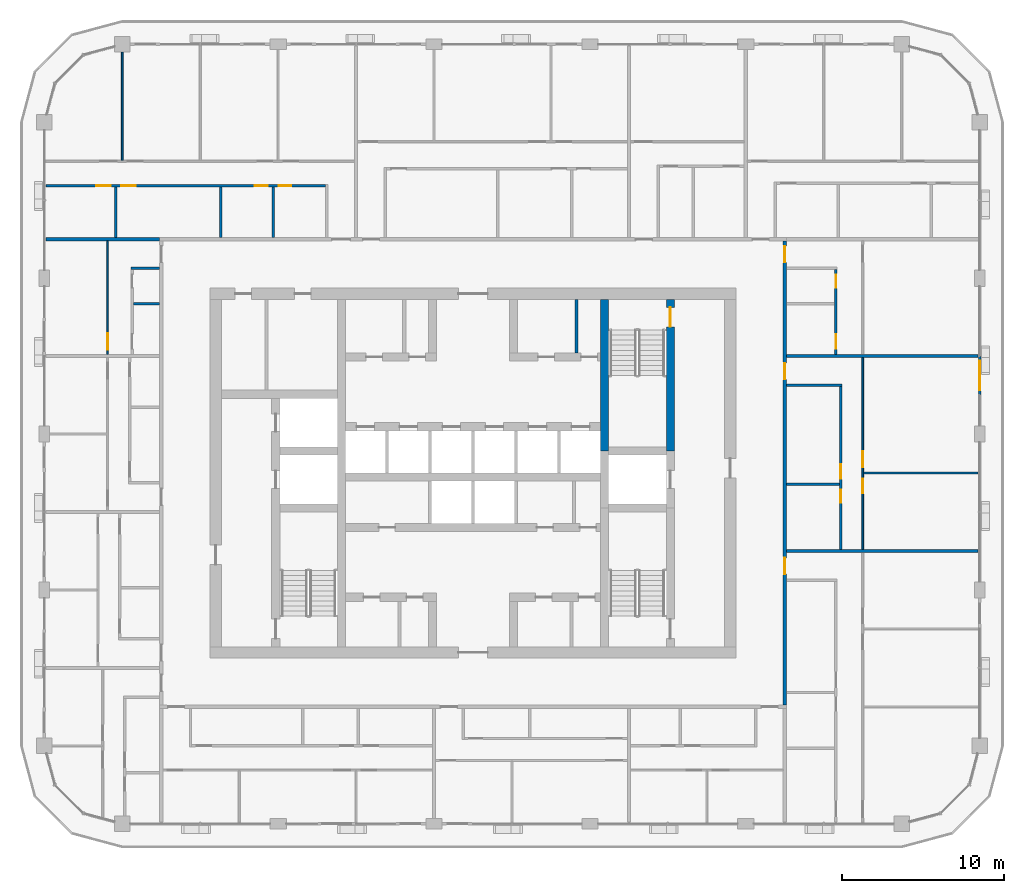
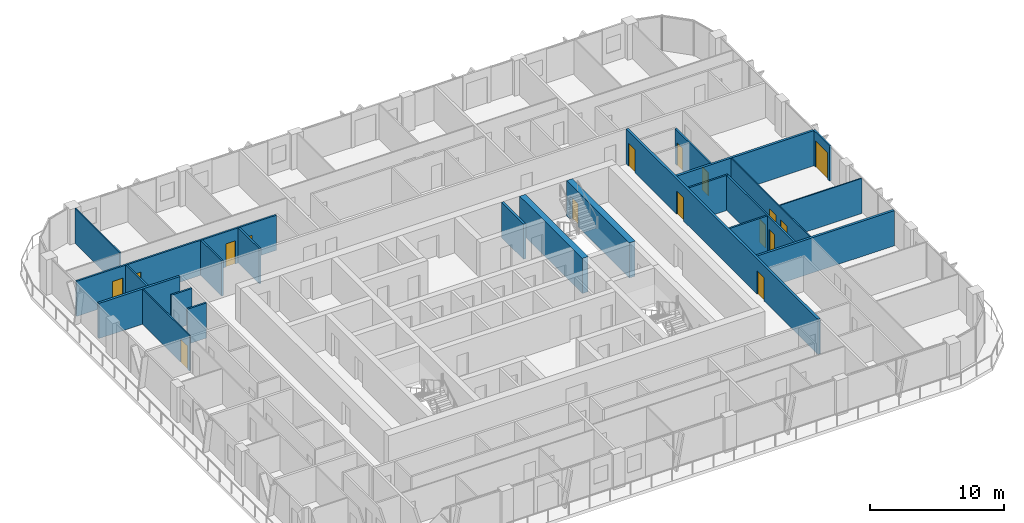
# One storey, part 13 of 23: 22 walls, 16 doors, 16 openings.
"""IFC4 building model written with IfcOpenShell, lengths in metres."""

from ifc_helpers import new_model, si_unit, direction, frame, frame_2d, origin, place, context, subcontext, project, spatial, rectangle, extrude, material, layer, layer_set, type_object, element, fill, save


model = new_model("IFC4")

# Units and contexts
model_context = context("Model", 3, precision=1e-05, world=origin(), true_north=direction((0.0, 1.0)))
body_context = subcontext(model_context, "Body", "Model", "MODEL_VIEW")
ifc_project = project(units=[si_unit("LENGTHUNIT", "METRE"), si_unit("AREAUNIT", "SQUARE_METRE"), si_unit("VOLUMEUNIT", "CUBIC_METRE"), si_unit("PLANEANGLEUNIT", "RADIAN"), si_unit("MASSUNIT", "GRAM", prefix="KILO")], contexts=[model_context])

# Site, building, storey
site_placement = place(None, origin())
site = spatial("IfcSite", under=ifc_project, at=site_placement, CompositionType="ELEMENT")
building_placement = place(site_placement, origin())
building = spatial("IfcBuilding", under=site, at=building_placement, Name="Madar Terraces", CompositionType="ELEMENT")
storey_placement = place(building_placement, frame((0.0, 0.0, 215.800048828125)))
storey = spatial("IfcBuildingStorey", under=building, at=storey_placement, Name="L56", CompositionType="ELEMENT", Elevation=215.800048828125)

# Wall
ifc_material_1 = material(Name="Concrete C60/75", Category="concrete")
ifc_layer_1 = layer(ifc_material_1, 0.5)
ifc_layer_set_1 = layer_set([ifc_layer_1], Name="Concrete C60/75 (CIW4 RC wall 500)")
wall_type_1 = type_object("IfcWallType", Name="CIW4 RC wall 500", PredefinedType="SHEAR", material=ifc_layer_set_1)
wall_1_placement = place(storey_placement, frame((39.300048828125, 27.75, 0.0), z_axis=(0.0, 0.0, 1.0), x_axis=(0.0, 1.0, 0.0)))
element("IfcWall", 1, at=wall_1_placement, inside=storey, type_object=wall_type_1, Name="CORE SHAFT WALL", PredefinedType="SHEAR", context=body_context, shape_type="SweptSolid", body=[
    extrude(rectangle(XDim=9.35009765625, YDim=0.5, at=frame_2d((4.675048828125, 0.0))), origin(), (0.0, 0.0, 1.0), 3.199951171875),
])

# Wall, opening, door
wall_2_placement = place(storey_placement, frame((43.35009765625, 27.75, 0.0), z_axis=(0.0, 0.0, 1.0), x_axis=(0.0, 1.0, 0.0)))
wall_2 = element("IfcWall", 2, at=wall_2_placement, inside=storey, type_object=wall_type_1, Name="CORE SHAFT WALL", PredefinedType="SHEAR", context=body_context, shape_type="SweptSolid", body=[
    extrude(rectangle(XDim=9.35009765625, YDim=0.5, at=frame_2d((4.675048828125, 0.0))), origin(), (0.0, 0.0, 1.0), 3.199951171875),
])
opening_1_placement = place(wall_2_placement, frame((7.64990234375, 0.0, 0.0)))
opening_1 = element("IfcOpeningElement", 3, at=opening_1_placement, cuts=wall_2, Name="Opening SD1", PredefinedType="OPENING", context=body_context, shape_type="SweptSolid", body=[
    extrude(rectangle(XDim=1.199951171875, YDim=2.10009765625, at=frame_2d((0.60009765625, 1.050048828125))), frame((0.0, 0.260009765625, 0.0), z_axis=(0.0, -1.0, 0.0), x_axis=(1.0, 0.0, 0.0)), (0.0, 0.0, 1.0), 0.52001953125),
])
ifc_material_2 = material(Name="Steel door leaf", Category="steel")
door_type_1 = type_object("IfcDoorType", Name="Stair door 1200 x 2100", OperationType="NOTDEFINED", PredefinedType="DOOR", material=ifc_material_2)
door_1_placement = place(opening_1_placement, origin())
door_1 = element("IfcDoor", 4, at=door_1_placement, inside=storey, type_object=door_type_1, Name="STAIR DOOR", OperationType="SINGLE_SWING_RIGHT", OverallHeight=2.10009765625, OverallWidth=1.199951171875, PredefinedType="DOOR", context=body_context, shape_type="SweptSolid", body=[
    extrude(rectangle(XDim=1.199951171875, YDim=2.10009765625, at=frame_2d((0.60009765625, 1.050048828125))), frame((0.0, 0.02490234375, 0.0), z_axis=(0.0, -1.0, 0.0), x_axis=(1.0, 0.0, 0.0)), (0.0, 0.0, 1.0), 0.050048828125),
])
fill(opening_1, door_1)

# Wall
ifc_material_3 = material(Name="Masonry blockwork", Category="masonry")
ifc_layer_2 = layer(ifc_material_3, 0.199951171875)
ifc_layer_set_2 = layer_set([ifc_layer_2], Name="Core partition 200 blockwork")
wall_type_2 = type_object("IfcWallType", Name="Core partition 200 blockwork", PredefinedType="PARTITIONING", material=ifc_layer_set_2)
wall_3_placement = place(storey_placement, frame((37.571044921875, 33.800048828125, 0.0), z_axis=(0.0, 0.0, 1.0), x_axis=(0.0, 1.0, 0.0)))
element("IfcWall", 5, at=wall_3_placement, inside=storey, type_object=wall_type_2, Name="SERVICE ROOM PARTITION", PredefinedType="PARTITIONING", context=body_context, shape_type="SweptSolid", body=[
    extrude(rectangle(XDim=3.300048828125, YDim=0.199951171875, at=frame_2d((1.64990234375, 0.0))), origin(), (0.0, 0.0, 1.0), 3.199951171875),
])

# Wall, opening, door
ifc_material_4 = material(Name="Aluminium composite panel, black, over insulated backing", Category="aluminium")
ifc_layer_3 = layer(ifc_material_4, 0.14990234375)
ifc_layer_set_3 = layer_set([ifc_layer_3], Name="Facade bay panel 150")
wall_type_3 = type_object("IfcWallType", Name="Facade bay panel 150", PredefinedType="SOLIDWALL", material=ifc_layer_set_3)
wall_4_placement = place(storey_placement, frame((62.39990234375, 31.199951171875, 0.0), z_axis=(0.0, 0.0, 1.0), x_axis=(0.0, 1.0, 0.0)))
wall_4 = element("IfcWall", 6, at=wall_4_placement, inside=storey, type_object=wall_type_3, Name="Facade bay panel", PredefinedType="SOLIDWALL", context=body_context, shape_type="SweptSolid", body=[
    extrude(rectangle(XDim=2.400146484375, YDim=0.14990234375, at=frame_2d((1.2001953125, 0.0))), origin(), (0.0, 0.0, 1.0), 3.199951171875),
])
opening_2_placement = place(wall_4_placement, frame((0.300048828125, 0.0, 0.0)))
opening_2 = element("IfcOpeningElement", 7, at=opening_2_placement, cuts=wall_4, Name="Opening ED1", PredefinedType="OPENING", context=body_context, shape_type="SweptSolid", body=[
    extrude(rectangle(XDim=1.800048828125, YDim=2.39990234375, at=frame_2d((0.89990234375, 1.199951171875))), frame((0.0, 0.0849609375, 0.0), z_axis=(0.0, -1.0, 0.0), x_axis=(1.0, 0.0, 0.0)), (0.0, 0.0, 1.0), 0.169921875),
])
ifc_material_5 = material(Name="Glass, clear, with black aluminium frame", Category="aluminium")
door_type_2 = type_object("IfcDoorType", Name="Balcony and terrace sliding door 1800 x 2400", OperationType="SLIDING_TO_LEFT", PredefinedType="DOOR", material=ifc_material_5)
door_2_placement = place(opening_2_placement, origin())
door_2 = element("IfcDoor", 8, at=door_2_placement, inside=storey, type_object=door_type_2, Name="Balcony door", OperationType="SLIDING_TO_RIGHT", OverallHeight=2.39990234375, OverallWidth=1.800048828125, PredefinedType="DOOR", context=body_context, shape_type="SweptSolid", body=[
    extrude(rectangle(XDim=1.800048828125, YDim=2.39990234375, at=frame_2d((0.89990234375, 1.199951171875))), frame((0.0, 0.02490234375, 0.0), z_axis=(0.0, -1.0, 0.0), x_axis=(1.0, 0.0, 0.0)), (0.0, 0.0, 1.0), 0.050048828125),
])
fill(opening_2, door_2)

# Wall
ifc_material_6 = material(Name="Gypsum board on steel studs", Category="steel")
ifc_layer_4 = layer(ifc_material_6, 0.10009765625)
ifc_layer_set_4 = layer_set([ifc_layer_4], Name="Flat partition 100")
wall_type_4 = type_object("IfcWallType", Name="Flat partition 100", PredefinedType="PARTITIONING", material=ifc_layer_set_4)
wall_5_placement = place(storey_placement, frame((55.25, 26.39990234375, 0.0), z_axis=(0.0, 0.0, 1.0), x_axis=(1.0, 0.0, 0.0)))
element("IfcWall", 9, at=wall_5_placement, inside=storey, type_object=wall_type_4, Name="Flat partition 100", PredefinedType="PARTITIONING", context=body_context, shape_type="SweptSolid", body=[
    extrude(rectangle(XDim=7.050048828125, YDim=0.10009765625, at=frame_2d((3.52490234375, 0.0))), origin(), (0.0, 0.0, 1.0), 3.199951171875),
])

# Wall, openings, doors
wall_6_placement = place(storey_placement, frame((55.199951171875, 33.5, 0.0), z_axis=(0.0, 0.0, 1.0), x_axis=(0.0, -1.0, 0.0)))
wall_6 = element("IfcWall", 10, at=wall_6_placement, inside=storey, type_object=wall_type_4, Name="Flat partition 100", PredefinedType="PARTITIONING", context=body_context, shape_type="SweptSolid", body=[
    extrude(rectangle(XDim=11.800048828125, YDim=0.10009765625, at=frame_2d((5.89990234375, 0.0))), origin(), (0.0, 0.0, 1.0), 3.199951171875),
])
opening_3_placement = place(wall_6_placement, frame((5.75, 0.0, 0.0)))
opening_3 = element("IfcOpeningElement", 11, at=opening_3_placement, cuts=wall_6, Name="Opening D3", PredefinedType="OPENING", context=body_context, shape_type="SweptSolid", body=[
    extrude(rectangle(XDim=1.0, YDim=2.10009765625, at=frame_2d((0.5, 1.050048828125))), frame((0.0, 0.06005859375, 0.0), z_axis=(0.0, -1.0, 0.0), x_axis=(1.0, 0.0, 0.0)), (0.0, 0.0, 1.0), 0.1201171875),
])
opening_4_placement = place(wall_6_placement, frame((7.449951171875, 0.0, 0.0)))
opening_4 = element("IfcOpeningElement", 12, at=opening_4_placement, cuts=wall_6, Name="Opening D2", PredefinedType="OPENING", context=body_context, shape_type="SweptSolid", body=[
    extrude(rectangle(XDim=0.89990234375, YDim=2.10009765625, at=frame_2d((0.449951171875, 1.050048828125))), frame((0.0, 0.06005859375, 0.0), z_axis=(0.0, -1.0, 0.0), x_axis=(1.0, 0.0, 0.0)), (0.0, 0.0, 1.0), 0.1201171875),
])
ifc_material_7 = material(Name="Timber door leaf", Category="wood")
door_type_3 = type_object("IfcDoorType", Name="Flat living room door 1000", OperationType="NOTDEFINED", PredefinedType="DOOR", material=ifc_material_7)
door_3_placement = place(opening_3_placement, origin())
door_3 = element("IfcDoor", 13, at=door_3_placement, inside=storey, type_object=door_type_3, Name="Flat living room door 1000", OperationType="SINGLE_SWING_RIGHT", OverallHeight=2.10009765625, OverallWidth=1.0, PredefinedType="DOOR", context=body_context, shape_type="SweptSolid", body=[
    extrude(rectangle(XDim=1.0, YDim=2.10009765625, at=frame_2d((0.5, 1.050048828125))), frame((0.0, 0.02490234375, 0.0), z_axis=(0.0, -1.0, 0.0), x_axis=(1.0, 0.0, 0.0)), (0.0, 0.0, 1.0), 0.050048828125),
])
fill(opening_3, door_3)
ifc_material_8 = material(Name="Timber door leaf", Category="wood")
door_type_4 = type_object("IfcDoorType", Name="Flat room door 900", OperationType="NOTDEFINED", PredefinedType="DOOR", material=ifc_material_8)
door_4_placement = place(opening_4_placement, origin())
door_4 = element("IfcDoor", 14, at=door_4_placement, inside=storey, type_object=door_type_4, Name="Flat room door 900", OperationType="SINGLE_SWING_LEFT", OverallHeight=2.10009765625, OverallWidth=0.89990234375, PredefinedType="DOOR", context=body_context, shape_type="SweptSolid", body=[
    extrude(rectangle(XDim=0.89990234375, YDim=2.10009765625, at=frame_2d((0.449951171875, 1.050048828125))), frame((0.0, 0.02490234375, 0.0), z_axis=(0.0, -1.0, 0.0), x_axis=(1.0, 0.0, 0.0)), (0.0, 0.0, 1.0), 0.050048828125),
])
fill(opening_4, door_4)

# Wall
wall_7_placement = place(storey_placement, frame((9.60009765625, 45.64990234375, 0.0), z_axis=(0.0, 0.0, 1.0), x_axis=(0.0, 1.0, 0.0)))
element("IfcWall", 15, at=wall_7_placement, inside=storey, type_object=wall_type_4, Name="Flat partition 100", PredefinedType="PARTITIONING", context=body_context, shape_type="SweptSolid", body=[
    extrude(rectangle(XDim=6.675048828125, YDim=0.10009765625, at=frame_2d((3.33740234375, 0.0))), origin(), (0.0, 0.0, 1.0), 3.199951171875),
])

# Wall, opening, door
wall_8_placement = place(storey_placement, frame((8.699951171875, 33.699951171875, 0.0), z_axis=(0.0, 0.0, 1.0), x_axis=(0.0, 1.0, 0.0)))
wall_8 = element("IfcWall", 16, at=wall_8_placement, inside=storey, type_object=wall_type_4, Name="Flat partition 100", PredefinedType="PARTITIONING", context=body_context, shape_type="SweptSolid", body=[
    extrude(rectangle(XDim=7.0, YDim=0.10009765625, at=frame_2d((3.5, 0.0))), origin(), (0.0, 0.0, 1.0), 3.199951171875),
])
opening_5_placement = place(wall_8_placement, frame((0.300048828125, 0.0, 0.0)))
opening_5 = element("IfcOpeningElement", 17, at=opening_5_placement, cuts=wall_8, Name="Opening D3", PredefinedType="OPENING", context=body_context, shape_type="SweptSolid", body=[
    extrude(rectangle(XDim=1.0, YDim=2.10009765625, at=frame_2d((0.5, 1.050048828125))), frame((0.0, 0.06005859375, 0.0), z_axis=(0.0, -1.0, 0.0), x_axis=(1.0, 0.0, 0.0)), (0.0, 0.0, 1.0), 0.1201171875),
])
door_5_placement = place(opening_5_placement, origin())
door_5 = element("IfcDoor", 18, at=door_5_placement, inside=storey, type_object=door_type_3, Name="Flat living room door 1000", OperationType="SINGLE_SWING_LEFT", OverallHeight=2.10009765625, OverallWidth=1.0, PredefinedType="DOOR", context=body_context, shape_type="SweptSolid", body=[
    extrude(rectangle(XDim=1.0, YDim=2.10009765625, at=frame_2d((0.5, 1.050048828125))), frame((0.0, 0.02490234375, 0.0), z_axis=(0.0, -1.0, 0.0), x_axis=(1.0, 0.0, 0.0)), (0.0, 0.0, 1.0), 0.050048828125),
])
fill(opening_5, door_5)

# Wall, openings, doors
ifc_material_9 = material(Name="Lightweight blockwork", Category="masonry")
ifc_layer_5 = layer(ifc_material_9, 0.199951171875)
ifc_layer_set_5 = layer_set([ifc_layer_5], Name="Flat party and entrance wall 200")
wall_type_5 = type_object("IfcWallType", Name="Flat party and entrance wall 200", PredefinedType="PARTITIONING", material=ifc_layer_set_5)
wall_9_placement = place(storey_placement, frame((50.39990234375, 40.699951171875, 0.0), z_axis=(0.0, 0.0, 1.0), x_axis=(0.0, -1.0, 0.0)))
wall_9 = element("IfcWall", 19, at=wall_9_placement, inside=storey, type_object=wall_type_5, Name="Flat party and entrance wall 200", PredefinedType="PARTITIONING", context=body_context, shape_type="SweptSolid", body=[
    extrude(rectangle(XDim=28.599853515625, YDim=0.199951171875, at=frame_2d((14.2998046875, 0.0))), origin(), (0.0, 0.0, 1.0), 3.199951171875),
])
opening_6_placement = place(wall_9_placement, frame((19.52490234375, 0.0, 0.0)))
opening_6 = element("IfcOpeningElement", 20, at=opening_6_placement, cuts=wall_9, Name="Opening D1", PredefinedType="OPENING", context=body_context, shape_type="SweptSolid", body=[
    extrude(rectangle(XDim=1.0, YDim=2.10009765625, at=frame_2d((0.5, 1.050048828125))), frame((0.0, 0.10986328125, 0.0), z_axis=(0.0, -1.0, 0.0), x_axis=(1.0, 0.0, 0.0)), (0.0, 0.0, 1.0), 0.219970703125),
])
opening_7_placement = place(wall_9_placement, frame((7.52490234375, 0.0, 0.0)))
opening_7 = element("IfcOpeningElement", 21, at=opening_7_placement, cuts=wall_9, Name="Opening D1", PredefinedType="OPENING", context=body_context, shape_type="SweptSolid", body=[
    extrude(rectangle(XDim=1.0, YDim=2.10009765625, at=frame_2d((0.5, 1.050048828125))), frame((0.0, 0.10986328125, 0.0), z_axis=(0.0, -1.0, 0.0), x_axis=(1.0, 0.0, 0.0)), (0.0, 0.0, 1.0), 0.219970703125),
])
opening_8_placement = place(wall_9_placement, frame((0.324951171875, 0.0, 0.0)))
opening_8 = element("IfcOpeningElement", 22, at=opening_8_placement, cuts=wall_9, Name="Opening D1", PredefinedType="OPENING", context=body_context, shape_type="SweptSolid", body=[
    extrude(rectangle(XDim=1.0, YDim=2.10009765625, at=frame_2d((0.5, 1.050048828125))), frame((0.0, 0.10986328125, 0.0), z_axis=(0.0, -1.0, 0.0), x_axis=(1.0, 0.0, 0.0)), (0.0, 0.0, 1.0), 0.219970703125),
])
ifc_material_10 = material(Name="Timber fire door leaf", Category="wood")
door_type_5 = type_object("IfcDoorType", Name="Flat entrance door 1000 FD30S", OperationType="NOTDEFINED", PredefinedType="DOOR", material=ifc_material_10)
door_6_placement = place(opening_6_placement, origin())
door_6 = element("IfcDoor", 23, at=door_6_placement, inside=storey, type_object=door_type_5, Name="Flat entrance door 1000 FD30S", OperationType="SINGLE_SWING_LEFT", OverallHeight=2.10009765625, OverallWidth=1.0, PredefinedType="DOOR", context=body_context, shape_type="SweptSolid", body=[
    extrude(rectangle(XDim=1.0, YDim=2.10009765625, at=frame_2d((0.5, 1.050048828125))), frame((0.0, 0.02490234375, 0.0), z_axis=(0.0, -1.0, 0.0), x_axis=(1.0, 0.0, 0.0)), (0.0, 0.0, 1.0), 0.050048828125),
])
fill(opening_6, door_6)
door_7_placement = place(opening_7_placement, origin())
door_7 = element("IfcDoor", 24, at=door_7_placement, inside=storey, type_object=door_type_5, Name="Flat entrance door 1000 FD30S", OperationType="SINGLE_SWING_LEFT", OverallHeight=2.10009765625, OverallWidth=1.0, PredefinedType="DOOR", context=body_context, shape_type="SweptSolid", body=[
    extrude(rectangle(XDim=1.0, YDim=2.10009765625, at=frame_2d((0.5, 1.050048828125))), frame((0.0, 0.02490234375, 0.0), z_axis=(0.0, -1.0, 0.0), x_axis=(1.0, 0.0, 0.0)), (0.0, 0.0, 1.0), 0.050048828125),
])
fill(opening_7, door_7)
door_8_placement = place(opening_8_placement, origin())
door_8 = element("IfcDoor", 25, at=door_8_placement, inside=storey, type_object=door_type_5, Name="Flat entrance door 1000 FD30S", OperationType="SINGLE_SWING_LEFT", OverallHeight=2.10009765625, OverallWidth=1.0, PredefinedType="DOOR", context=body_context, shape_type="SweptSolid", body=[
    extrude(rectangle(XDim=1.0, YDim=2.10009765625, at=frame_2d((0.5, 1.050048828125))), frame((0.0, 0.02490234375, 0.0), z_axis=(0.0, -1.0, 0.0), x_axis=(1.0, 0.0, 0.0)), (0.0, 0.0, 1.0), 0.050048828125),
])
fill(opening_8, door_8)

# Walls
for number, where, z_axis, x_axis, name in (
    (26, (50.5, 21.60009765625, 0.0), (0.0, 0.0, 1.0), (1.0, 0.0, 0.0), "Flat party and entrance wall 200"),
    (27, (50.5, 33.60009765625, 0.0), (0.0, 0.0, 1.0), (1.0, 0.0, 0.0), "Flat party and entrance wall 200"),
):
    element("IfcWall", number, at=place(storey_placement, frame(where, z_axis=z_axis, x_axis=x_axis)), inside=storey, type_object=wall_type_5, Name=name, PredefinedType="PARTITIONING", context=body_context, shape_type="SweptSolid", body=[
        extrude(rectangle(XDim=11.800048828125, YDim=0.199951171875, at=frame_2d((5.89990234375, 0.0))), origin(), (0.0, 0.0, 1.0), 3.199951171875),
    ])
wall_10_placement = place(storey_placement, frame((4.89990234375, 40.800048828125, 0.0), z_axis=(0.0, 0.0, 1.0), x_axis=(1.0, 0.0, 0.0)))
element("IfcWall", 28, at=wall_10_placement, inside=storey, type_object=wall_type_5, Name="Flat party and entrance wall 200", PredefinedType="PARTITIONING", context=body_context, shape_type="SweptSolid", body=[
    extrude(rectangle(XDim=7.0, YDim=0.199951171875, at=frame_2d((3.5, 0.0))), origin(), (0.0, 0.0, 1.0), 3.199951171875),
])
ifc_material_11 = material(Name="Lightweight blockwork", Category="masonry")
ifc_layer_6 = layer(ifc_material_11, 0.14990234375)
ifc_layer_set_6 = layer_set([ifc_layer_6], Name="Flat wet-room partition 150")
wall_type_6 = type_object("IfcWallType", Name="Flat wet-room partition 150", PredefinedType="PARTITIONING", material=ifc_layer_set_6)
wall_11_placement = place(storey_placement, frame((50.5, 25.7099609375, 0.0), z_axis=(0.0, 0.0, 1.0), x_axis=(1.0, 0.0, 0.0)))
element("IfcWall", 29, at=wall_11_placement, inside=storey, type_object=wall_type_6, Name="Flat wet-room partition 150", PredefinedType="PARTITIONING", context=body_context, shape_type="SweptSolid", body=[
    extrude(rectangle(XDim=3.27490234375, YDim=0.14990234375, at=frame_2d((1.637451171875, 0.0))), origin(), (0.0, 0.0, 1.0), 3.199951171875),
])
wall_12_placement = place(storey_placement, frame((50.5, 31.800048828125, 0.0), z_axis=(0.0, 0.0, 1.0), x_axis=(1.0, 0.0, 0.0)))
element("IfcWall", 30, at=wall_12_placement, inside=storey, type_object=wall_type_6, Name="Flat wet-room partition 150", PredefinedType="PARTITIONING", context=body_context, shape_type="SweptSolid", body=[
    extrude(rectangle(XDim=3.425048828125, YDim=0.14990234375, at=frame_2d((1.71240234375, 0.0))), origin(), (0.0, 0.0, 1.0), 3.199951171875),
])

# Wall, openings, doors
wall_13_placement = place(storey_placement, frame((53.85009765625, 21.699951171875, 0.0), z_axis=(0.0, 0.0, 1.0), x_axis=(0.0, 1.0, 0.0)))
wall_13 = element("IfcWall", 31, at=wall_13_placement, inside=storey, type_object=wall_type_6, Name="Flat wet-room partition 150", PredefinedType="PARTITIONING", context=body_context, shape_type="SweptSolid", body=[
    extrude(rectangle(XDim=10.025146484375, YDim=0.14990234375, at=frame_2d((5.0126953125, 0.0))), origin(), (0.0, 0.0, 1.0), 3.199951171875),
])
opening_9_placement = place(wall_13_placement, frame((4.3349609375, 0.0, 0.0)))
opening_9 = element("IfcOpeningElement", 32, at=opening_9_placement, cuts=wall_13, Name="Opening D2", PredefinedType="OPENING", context=body_context, shape_type="SweptSolid", body=[
    extrude(rectangle(XDim=0.89990234375, YDim=2.10009765625, at=frame_2d((0.449951171875, 1.050048828125))), frame((0.0, 0.0849609375, 0.0), z_axis=(0.0, -1.0, 0.0), x_axis=(1.0, 0.0, 0.0)), (0.0, 0.0, 1.0), 0.169921875),
])
opening_10_placement = place(wall_13_placement, frame((2.885009765625, 0.0, 0.0)))
opening_10 = element("IfcOpeningElement", 33, at=opening_10_placement, cuts=wall_13, Name="Opening D4", PredefinedType="OPENING", context=body_context, shape_type="SweptSolid", body=[
    extrude(rectangle(XDim=0.800048828125, YDim=2.10009765625, at=frame_2d((0.39990234375, 1.050048828125))), frame((0.0, 0.0849609375, 0.0), z_axis=(0.0, -1.0, 0.0), x_axis=(1.0, 0.0, 0.0)), (0.0, 0.0, 1.0), 0.169921875),
])
ifc_material_12 = material(Name="Timber door leaf", Category="wood")
door_type_6 = type_object("IfcDoorType", Name="Flat bathroom door 800", OperationType="NOTDEFINED", PredefinedType="DOOR", material=ifc_material_12)
door_9_placement = place(opening_10_placement, origin())
door_9 = element("IfcDoor", 34, at=door_9_placement, inside=storey, type_object=door_type_6, Name="Flat bathroom door 800", OperationType="SINGLE_SWING_RIGHT", OverallHeight=2.10009765625, OverallWidth=0.800048828125, PredefinedType="DOOR", context=body_context, shape_type="SweptSolid", body=[
    extrude(rectangle(XDim=0.800048828125, YDim=2.10009765625, at=frame_2d((0.39990234375, 1.050048828125))), frame((0.0, 0.02490234375, 0.0), z_axis=(0.0, -1.0, 0.0), x_axis=(1.0, 0.0, 0.0)), (0.0, 0.0, 1.0), 0.050048828125),
])
fill(opening_10, door_9)
door_10_placement = place(opening_9_placement, origin())
door_10 = element("IfcDoor", 35, at=door_10_placement, inside=storey, type_object=door_type_4, Name="Flat room door 900", OperationType="SINGLE_SWING_LEFT", OverallHeight=2.10009765625, OverallWidth=0.89990234375, PredefinedType="DOOR", context=body_context, shape_type="SweptSolid", body=[
    extrude(rectangle(XDim=0.89990234375, YDim=2.10009765625, at=frame_2d((0.449951171875, 1.050048828125))), frame((0.0, 0.02490234375, 0.0), z_axis=(0.0, -1.0, 0.0), x_axis=(1.0, 0.0, 0.0)), (0.0, 0.0, 1.0), 0.050048828125),
])
fill(opening_9, door_10)

wall_14_placement = place(storey_placement, frame((53.550048828125, 33.699951171875, 0.0), z_axis=(0.0, 0.0, 1.0), x_axis=(0.0, 1.0, 0.0)))
wall_14 = element("IfcWall", 36, at=wall_14_placement, inside=storey, type_object=wall_type_6, Name="Flat wet-room partition 150", PredefinedType="PARTITIONING", context=body_context, shape_type="SweptSolid", body=[
    extrude(rectangle(XDim=5.22509765625, YDim=0.14990234375, at=frame_2d((2.612548828125, 0.0))), origin(), (0.0, 0.0, 1.0), 3.199951171875),
])
opening_11_placement = place(wall_14_placement, frame((4.125, 0.0, 0.0)))
opening_11 = element("IfcOpeningElement", 37, at=opening_11_placement, cuts=wall_14, Name="Opening D4", PredefinedType="OPENING", context=body_context, shape_type="SweptSolid", body=[
    extrude(rectangle(XDim=0.800048828125, YDim=2.10009765625, at=frame_2d((0.39990234375, 1.050048828125))), frame((0.0, 0.0849609375, 0.0), z_axis=(0.0, -1.0, 0.0), x_axis=(1.0, 0.0, 0.0)), (0.0, 0.0, 1.0), 0.169921875),
])
opening_12_placement = place(wall_14_placement, frame((0.35009765625, 0.0, 0.0)))
opening_12 = element("IfcOpeningElement", 38, at=opening_12_placement, cuts=wall_14, Name="Opening D2", PredefinedType="OPENING", context=body_context, shape_type="SweptSolid", body=[
    extrude(rectangle(XDim=0.89990234375, YDim=2.10009765625, at=frame_2d((0.449951171875, 1.050048828125))), frame((0.0, 0.0849609375, 0.0), z_axis=(0.0, -1.0, 0.0), x_axis=(1.0, 0.0, 0.0)), (0.0, 0.0, 1.0), 0.169921875),
])
door_11_placement = place(opening_11_placement, origin())
door_11 = element("IfcDoor", 39, at=door_11_placement, inside=storey, type_object=door_type_6, Name="Flat bathroom door 800", OperationType="SINGLE_SWING_RIGHT", OverallHeight=2.10009765625, OverallWidth=0.800048828125, PredefinedType="DOOR", context=body_context, shape_type="SweptSolid", body=[
    extrude(rectangle(XDim=0.800048828125, YDim=2.10009765625, at=frame_2d((0.39990234375, 1.050048828125))), frame((0.0, 0.02490234375, 0.0), z_axis=(0.0, -1.0, 0.0), x_axis=(1.0, 0.0, 0.0)), (0.0, 0.0, 1.0), 0.050048828125),
])
fill(opening_11, door_11)
door_12_placement = place(opening_12_placement, origin())
door_12 = element("IfcDoor", 40, at=door_12_placement, inside=storey, type_object=door_type_4, Name="Flat room door 900", OperationType="SINGLE_SWING_LEFT", OverallHeight=2.10009765625, OverallWidth=0.89990234375, PredefinedType="DOOR", context=body_context, shape_type="SweptSolid", body=[
    extrude(rectangle(XDim=0.89990234375, YDim=2.10009765625, at=frame_2d((0.449951171875, 1.050048828125))), frame((0.0, 0.02490234375, 0.0), z_axis=(0.0, -1.0, 0.0), x_axis=(1.0, 0.0, 0.0)), (0.0, 0.0, 1.0), 0.050048828125),
])
fill(opening_12, door_12)

# Walls
for number, where, z_axis, x_axis, name in (
    (41, (18.895263671875, 40.89990234375, 0.0), (0.0, 0.0, 1.0), (0.0, 1.0, 0.0), "Flat wet-room partition 150"),
    (42, (15.66552734375, 40.89990234375, 0.0), (0.0, 0.0, 1.0), (0.0, 1.0, 0.0), "Flat wet-room partition 150"),
    (43, (9.206298828125, 40.89990234375, 0.0), (0.0, 0.0, 1.0), (0.0, 1.0, 0.0), "Flat wet-room partition 150"),
):
    element("IfcWall", number, at=place(storey_placement, frame(where, z_axis=z_axis, x_axis=x_axis)), inside=storey, type_object=wall_type_6, Name=name, PredefinedType="PARTITIONING", context=body_context, shape_type="SweptSolid", body=[
        extrude(rectangle(XDim=3.125, YDim=0.14990234375, at=frame_2d((1.5625, 0.0))), origin(), (0.0, 0.0, 1.0), 3.199951171875),
    ])

# Wall, openings, doors
wall_15_placement = place(storey_placement, frame((22.125, 44.10009765625, 0.0), z_axis=(0.0, 0.0, 1.0), x_axis=(-1.0, 0.0, 0.0)))
wall_15 = element("IfcWall", 44, at=wall_15_placement, inside=storey, type_object=wall_type_6, Name="Flat wet-room partition 150", PredefinedType="PARTITIONING", context=body_context, shape_type="SweptSolid", body=[
    extrude(rectangle(XDim=17.22509765625, YDim=0.14990234375, at=frame_2d((8.612548828125, 0.0))), origin(), (0.0, 0.0, 1.0), 3.199951171875),
])
opening_13_placement = place(wall_15_placement, frame((2.104736328125, 0.0, 0.0)))
opening_13 = element("IfcOpeningElement", 45, at=opening_13_placement, cuts=wall_15, Name="Opening D4", PredefinedType="OPENING", context=body_context, shape_type="SweptSolid", body=[
    extrude(rectangle(XDim=0.800048828125, YDim=2.10009765625, at=frame_2d((0.39990234375, 1.050048828125))), frame((0.0, 0.0849609375, 0.0), z_axis=(0.0, -1.0, 0.0), x_axis=(1.0, 0.0, 0.0)), (0.0, 0.0, 1.0), 0.169921875),
])
opening_14_placement = place(wall_15_placement, frame((3.5546875, 0.0, 0.0)))
opening_14 = element("IfcOpeningElement", 46, at=opening_14_placement, cuts=wall_15, Name="Opening D7", PredefinedType="OPENING", context=body_context, shape_type="SweptSolid", body=[
    extrude(rectangle(XDim=0.800048828125, YDim=2.10009765625, at=frame_2d((0.39990234375, 1.050048828125))), frame((0.0, 0.0849609375, 0.0), z_axis=(0.0, -1.0, 0.0), x_axis=(1.0, 0.0, 0.0)), (0.0, 0.0, 1.0), 0.169921875),
])
opening_15_placement = place(wall_15_placement, frame((11.69384765625, 0.0, 0.0)))
opening_15 = element("IfcOpeningElement", 47, at=opening_15_placement, cuts=wall_15, Name="Opening D2", PredefinedType="OPENING", context=body_context, shape_type="SweptSolid", body=[
    extrude(rectangle(XDim=0.89990234375, YDim=2.10009765625, at=frame_2d((0.449951171875, 1.050048828125))), frame((0.0, 0.0849609375, 0.0), z_axis=(0.0, -1.0, 0.0), x_axis=(1.0, 0.0, 0.0)), (0.0, 0.0, 1.0), 0.169921875),
])
opening_16_placement = place(wall_15_placement, frame((13.243896484375, 0.0, 0.0)))
opening_16 = element("IfcOpeningElement", 48, at=opening_16_placement, cuts=wall_15, Name="Opening D5", PredefinedType="OPENING", context=body_context, shape_type="SweptSolid", body=[
    extrude(rectangle(XDim=0.89990234375, YDim=2.10009765625, at=frame_2d((0.449951171875, 1.050048828125))), frame((0.0, 0.0849609375, 0.0), z_axis=(0.0, -1.0, 0.0), x_axis=(1.0, 0.0, 0.0)), (0.0, 0.0, 1.0), 0.169921875),
])
ifc_material_13 = material(Name="Timber door leaf", Category="wood")
door_type_7 = type_object("IfcDoorType", Name="Flat accessible bathroom door 900", OperationType="NOTDEFINED", PredefinedType="DOOR", material=ifc_material_13)
door_13_placement = place(opening_16_placement, origin())
door_13 = element("IfcDoor", 49, at=door_13_placement, inside=storey, type_object=door_type_7, Name="Flat accessible bathroom door 900", OperationType="SINGLE_SWING_LEFT", OverallHeight=2.10009765625, OverallWidth=0.89990234375, PredefinedType="DOOR", context=body_context, shape_type="SweptSolid", body=[
    extrude(rectangle(XDim=0.89990234375, YDim=2.10009765625, at=frame_2d((0.449951171875, 1.050048828125))), frame((0.0, 0.02490234375, 0.0), z_axis=(0.0, -1.0, 0.0), x_axis=(1.0, 0.0, 0.0)), (0.0, 0.0, 1.0), 0.050048828125),
])
fill(opening_16, door_13)
door_14_placement = place(opening_13_placement, origin())
door_14 = element("IfcDoor", 50, at=door_14_placement, inside=storey, type_object=door_type_6, Name="Flat bathroom door 800", OperationType="SINGLE_SWING_RIGHT", OverallHeight=2.10009765625, OverallWidth=0.800048828125, PredefinedType="DOOR", context=body_context, shape_type="SweptSolid", body=[
    extrude(rectangle(XDim=0.800048828125, YDim=2.10009765625, at=frame_2d((0.39990234375, 1.050048828125))), frame((0.0, 0.02490234375, 0.0), z_axis=(0.0, -1.0, 0.0), x_axis=(1.0, 0.0, 0.0)), (0.0, 0.0, 1.0), 0.050048828125),
])
fill(opening_13, door_14)
door_15_placement = place(opening_15_placement, origin())
door_15 = element("IfcDoor", 51, at=door_15_placement, inside=storey, type_object=door_type_4, Name="Flat room door 900", OperationType="SINGLE_SWING_RIGHT", OverallHeight=2.10009765625, OverallWidth=0.89990234375, PredefinedType="DOOR", context=body_context, shape_type="SweptSolid", body=[
    extrude(rectangle(XDim=0.89990234375, YDim=2.10009765625, at=frame_2d((0.449951171875, 1.050048828125))), frame((0.0, 0.02490234375, 0.0), z_axis=(0.0, -1.0, 0.0), x_axis=(1.0, 0.0, 0.0)), (0.0, 0.0, 1.0), 0.050048828125),
])
fill(opening_15, door_15)
ifc_material_14 = material(Name="Timber door leaf", Category="wood")
door_type_8 = type_object("IfcDoorType", Name="Flat utility door 800", OperationType="NOTDEFINED", PredefinedType="DOOR", material=ifc_material_14)
door_16_placement = place(opening_14_placement, origin())
door_16 = element("IfcDoor", 52, at=door_16_placement, inside=storey, type_object=door_type_8, Name="Flat utility door 800", OperationType="SINGLE_SWING_LEFT", OverallHeight=2.10009765625, OverallWidth=0.800048828125, PredefinedType="DOOR", context=body_context, shape_type="SweptSolid", body=[
    extrude(rectangle(XDim=0.800048828125, YDim=2.10009765625, at=frame_2d((0.39990234375, 1.050048828125))), frame((0.0, 0.02490234375, 0.0), z_axis=(0.0, -1.0, 0.0), x_axis=(1.0, 0.0, 0.0)), (0.0, 0.0, 1.0), 0.050048828125),
])
fill(opening_14, door_16)

# Walls
wall_16_placement = place(storey_placement, frame((11.89990234375, 36.8349609375, 0.0), z_axis=(0.0, 0.0, 1.0), x_axis=(-1.0, 0.0, 0.0)))
element("IfcWall", 53, at=wall_16_placement, inside=storey, type_object=wall_type_6, Name="Flat wet-room partition 150", PredefinedType="PARTITIONING", context=body_context, shape_type="SweptSolid", body=[
    extrude(rectangle(XDim=1.625, YDim=0.14990234375, at=frame_2d((0.8125, 0.0))), origin(), (0.0, 0.0, 1.0), 3.199951171875),
])
wall_17_placement = place(storey_placement, frame((11.89990234375, 39.0, 0.0), z_axis=(0.0, 0.0, 1.0), x_axis=(-1.0, 0.0, 0.0)))
element("IfcWall", 54, at=wall_17_placement, inside=storey, type_object=wall_type_6, Name="Flat wet-room partition 150", PredefinedType="PARTITIONING", context=body_context, shape_type="SweptSolid", body=[
    extrude(rectangle(XDim=1.77490234375, YDim=0.14990234375, at=frame_2d((0.887451171875, 0.0))), origin(), (0.0, 0.0, 1.0), 3.199951171875),
])

save(model, "model.ifc")
